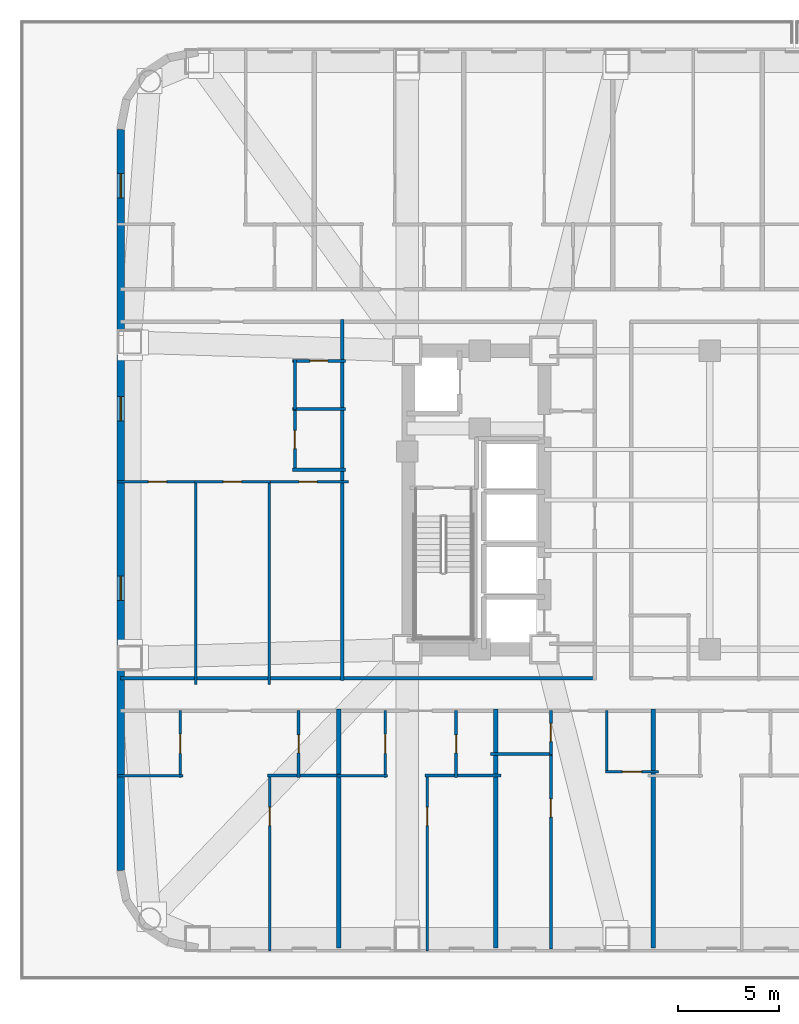
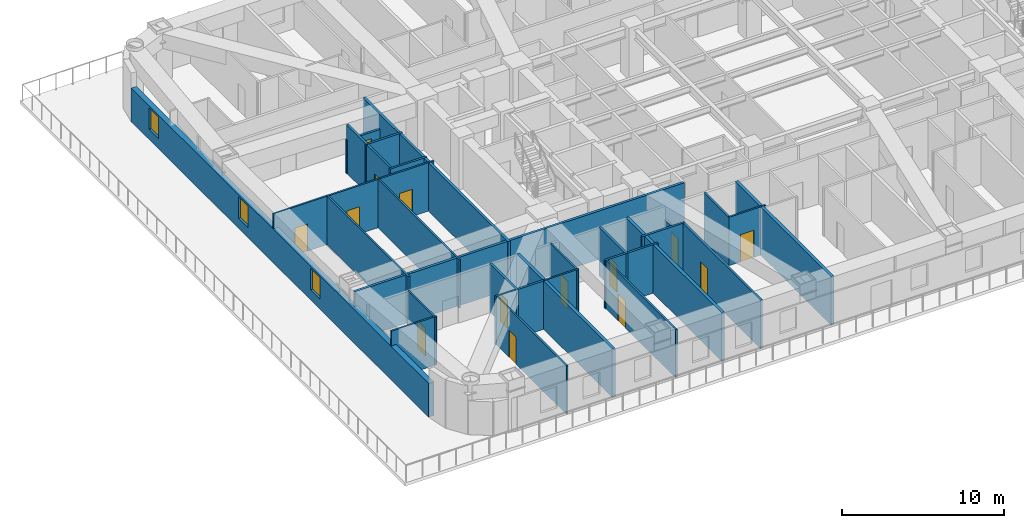
# One storey, part 3 of 15: 31 walls, 14 doors, 3 windows, 17 openings.
"""IFC4 building model written with IfcOpenShell, lengths in metres."""

from ifc_helpers import new_model, si_unit, direction, frame, frame_2d, origin, place, context, subcontext, project, spatial, rectangle, extrude, material, layer, layer_set, type_object, element, fill, save


model = new_model("IFC4")

# Units and contexts
model_context = context("Model", 3, precision=1e-05, world=origin(), true_north=direction((0.0, 1.0)))
body_context = subcontext(model_context, "Body", "Model", "MODEL_VIEW")
ifc_project = project(units=[si_unit("LENGTHUNIT", "METRE"), si_unit("AREAUNIT", "SQUARE_METRE"), si_unit("VOLUMEUNIT", "CUBIC_METRE"), si_unit("PLANEANGLEUNIT", "RADIAN"), si_unit("MASSUNIT", "GRAM", prefix="KILO")], contexts=[model_context])

# Site, building, storey
site_placement = place(None, origin())
site = spatial("IfcSite", under=ifc_project, at=site_placement, CompositionType="ELEMENT")
building_placement = place(site_placement, origin())
building = spatial("IfcBuilding", under=site, at=building_placement, Name="Voryun Gate Residences", CompositionType="ELEMENT")
storey_placement = place(building_placement, frame((0.0, 0.0, 26.0)))
storey = spatial("IfcBuildingStorey", under=building, at=storey_placement, Name="L05", CompositionType="ELEMENT", Elevation=26.0)

# Walls
ifc_material_1 = material(Name="Gypsum acoustic fireboard")
ifc_layer_1 = layer(ifc_material_1, 0.179931640625, Name="W_CORR_RATED_180")
ifc_layer_set_1 = layer_set([ifc_layer_1], Name="Gypsum acoustic fireboard")
wall_type_1 = type_object("IfcWallType", Name="W_CORR_RATED_180", PredefinedType="PARTITIONING", material=ifc_layer_set_1)
wall_1_placement = place(storey_placement, frame((-33.409912109375, -8.840087890625, 0.0), z_axis=(0.0, 0.0, 1.0), x_axis=(1.0, 0.0, 0.0)))
element("IfcWall", 1, at=wall_1_placement, inside=storey, type_object=wall_type_1, Name="Partition wall WP-L05-CWING-WS", PredefinedType="PARTITIONING", context=body_context, shape_type="SweptSolid", body=[
    extrude(rectangle(XDim=23.530029296875, YDim=0.179931640625, at=frame_2d((11.76513671875, 0.0))), origin(), (0.0, 0.0, 1.0), 3.64990234375),
])
wall_2_placement = place(storey_placement, frame((-22.419921875, -8.9599609375, 0.0), z_axis=(0.0, 0.0, 1.0), x_axis=(0.0, 1.0, 0.0)))
element("IfcWall", 2, at=wall_2_placement, inside=storey, type_object=wall_type_1, Name="Partition wall WP-L05-WCOR", PredefinedType="PARTITIONING", context=body_context, shape_type="SweptSolid", body=[
    extrude(rectangle(XDim=17.919921875, YDim=0.179931640625, at=frame_2d((8.9599609375, 0.0))), origin(), (0.0, 0.0, 1.0), 3.64990234375),
])

# Wall, openings, windows
ifc_material_2 = material(Name="Granite masonry", Category="masonry")
ifc_layer_2 = layer(ifc_material_2, 0.3798828125, Name="W_EXT_GRANITE_380")
ifc_layer_set_2 = layer_set([ifc_layer_2], Name="Granite masonry")
wall_type_2 = type_object("IfcWallType", Name="W_EXT_GRANITE_380", PredefinedType="ELEMENTEDWALL", material=ifc_layer_set_2)
wall_3_placement = place(storey_placement, frame((-33.409912109375, -18.38134765625, 0.0), z_axis=(0.0, 0.0, 1.0), x_axis=(0.0, 1.0, 0.0)))
wall_3 = element("IfcWall", 3, at=wall_3_placement, inside=storey, type_object=wall_type_2, Name="Exterior wall WEXT-L05-06", PredefinedType="ELEMENTEDWALL", context=body_context, shape_type="SweptSolid", body=[
    extrude(rectangle(XDim=36.7626953125, YDim=0.3798828125, at=frame_2d((18.38134765625, 0.0))), origin(), (0.0, 0.0, 1.0), 2.5400390625),
])
opening_1_placement = place(wall_3_placement, frame((33.362060546875, 0.0, 0.75)))
opening_1 = element("IfcOpeningElement", 4, at=opening_1_placement, cuts=wall_3, Name="Opening WN6", PredefinedType="OPENING", context=body_context, shape_type="SweptSolid", body=[
    extrude(rectangle(XDim=1.199951171875, YDim=1.6298828125, at=frame_2d((0.60009765625, 0.81494140625))), frame((0.0, 0.199951171875, 0.0), z_axis=(0.0, -1.0, 0.0), x_axis=(1.0, 0.0, 0.0)), (0.0, 0.0, 1.0), 0.39990234375),
])
opening_2_placement = place(wall_3_placement, frame((22.30126953125, 0.0, 0.75)))
opening_2 = element("IfcOpeningElement", 5, at=opening_2_placement, cuts=wall_3, Name="Opening WN6", PredefinedType="OPENING", context=body_context, shape_type="SweptSolid", body=[
    extrude(rectangle(XDim=1.199951171875, YDim=1.6298828125, at=frame_2d((0.60009765625, 0.81494140625))), frame((0.0, 0.199951171875, 0.0), z_axis=(0.0, -1.0, 0.0), x_axis=(1.0, 0.0, 0.0)), (0.0, 0.0, 1.0), 0.39990234375),
])
opening_3_placement = place(wall_3_placement, frame((13.4013671875, 0.0, 0.75)))
opening_3 = element("IfcOpeningElement", 6, at=opening_3_placement, cuts=wall_3, Name="Opening WN6", PredefinedType="OPENING", context=body_context, shape_type="SweptSolid", body=[
    extrude(rectangle(XDim=1.199951171875, YDim=1.6298828125, at=frame_2d((0.60009765625, 0.81494140625))), frame((0.0, 0.199951171875, 0.0), z_axis=(0.0, -1.0, 0.0), x_axis=(1.0, 0.0, 0.0)), (0.0, 0.0, 1.0), 0.39990234375),
])
ifc_material_3 = material(Name="Laminated low-E glass", Category="glass")
window_type = type_object("IfcWindowType", Name="WN_POD_SLOT_1200", PartitioningType="SINGLE_PANEL", PredefinedType="WINDOW", material=ifc_material_3)
window_1_placement = place(opening_1_placement, origin())
window_1 = element("IfcWindow", 7, at=window_1_placement, inside=storey, type_object=window_type, Name="Window WN-L05-DWFIX-01", OverallHeight=1.6298828125, OverallWidth=1.199951171875, PartitioningType="SINGLE_PANEL", PredefinedType="WINDOW", context=body_context, shape_type="SweptSolid", body=[
    extrude(rectangle(XDim=1.199951171875, YDim=1.6298828125, at=frame_2d((0.60009765625, 0.81494140625))), frame((0.0, 0.030029296875, 0.0), z_axis=(0.0, -1.0, 0.0), x_axis=(1.0, 0.0, 0.0)), (0.0, 0.0, 1.0), 0.06005859375),
])
fill(opening_1, window_1)
window_2_placement = place(opening_2_placement, origin())
window_2 = element("IfcWindow", 8, at=window_2_placement, inside=storey, type_object=window_type, Name="Window WN-L05-DWFIX-26", OverallHeight=1.6298828125, OverallWidth=1.199951171875, PartitioningType="SINGLE_PANEL", PredefinedType="WINDOW", context=body_context, shape_type="SweptSolid", body=[
    extrude(rectangle(XDim=1.199951171875, YDim=1.6298828125, at=frame_2d((0.60009765625, 0.81494140625))), frame((0.0, 0.030029296875, 0.0), z_axis=(0.0, -1.0, 0.0), x_axis=(1.0, 0.0, 0.0)), (0.0, 0.0, 1.0), 0.06005859375),
])
fill(opening_2, window_2)
window_3_placement = place(opening_3_placement, origin())
window_3 = element("IfcWindow", 9, at=window_3_placement, inside=storey, type_object=window_type, Name="Window WN-L05-DWFIX-27", OverallHeight=1.6298828125, OverallWidth=1.199951171875, PartitioningType="SINGLE_PANEL", PredefinedType="WINDOW", context=body_context, shape_type="SweptSolid", body=[
    extrude(rectangle(XDim=1.199951171875, YDim=1.6298828125, at=frame_2d((0.60009765625, 0.81494140625))), frame((0.0, 0.030029296875, 0.0), z_axis=(0.0, -1.0, 0.0), x_axis=(1.0, 0.0, 0.0)), (0.0, 0.0, 1.0), 0.06005859375),
])
fill(opening_3, window_3)

# Walls
ifc_material_4 = material(Name="Concrete C40/50", Category="concrete")
ifc_layer_3 = layer(ifc_material_4, 0.219970703125, Name="W_PARTY_ACOUSTIC_220")
ifc_layer_set_3 = layer_set([ifc_layer_3], Name="Concrete C40/50")
wall_type_3 = type_object("IfcWallType", Name="W_PARTY_ACOUSTIC_220", PredefinedType="PARTITIONING", material=ifc_layer_set_3)
for number, where, z_axis, x_axis, name in (
    (10, (-22.60009765625, -22.2099609375, 0.0), (0.0, 0.0, 1.0), (0.0, 1.0, 0.0), "Partition wall WP-L05-SPTY-1"),
    (11, (-14.800048828125, -22.2099609375, 0.0), (0.0, 0.0, 1.0), (0.0, 1.0, 0.0), "Partition wall WP-L05-SPTY-2"),
    (12, (-7.0, -22.2099609375, 0.0), (0.0, 0.0, 1.0), (0.0, 1.0, 0.0), "Partition wall WP-L05-SPTY-3"),
):
    element("IfcWall", number, at=place(storey_placement, frame(where, z_axis=z_axis, x_axis=x_axis)), inside=storey, type_object=wall_type_3, Name=name, PredefinedType="PARTITIONING", context=body_context, shape_type="SweptSolid", body=[
        extrude(rectangle(XDim=11.83984375, YDim=0.219970703125, at=frame_2d((5.919921875, 0.0))), origin(), (0.0, 0.0, 1.0), 3.64990234375),
    ])

# Wall, opening, door
ifc_material_5 = material(Name="Gypsum acoustic partition")
ifc_layer_4 = layer(ifc_material_5, 0.125, Name="W_UNIT_PART_125")
ifc_layer_set_4 = layer_set([ifc_layer_4], Name="Gypsum acoustic partition")
wall_type_4 = type_object("IfcWallType", Name="W_UNIT_PART_125", PredefinedType="PARTITIONING", material=ifc_layer_set_4)
wall_4_placement = place(storey_placement, frame((-26.010009765625, -22.360107421875, 0.0), z_axis=(0.0, 0.0, 1.0), x_axis=(0.0, 1.0, 0.0)))
wall_4 = element("IfcWall", 13, at=wall_4_placement, inside=storey, type_object=wall_type_4, Name="Partition wall WP-L05-S1-OVR", PredefinedType="PARTITIONING", context=body_context, shape_type="SweptSolid", body=[
    extrude(rectangle(XDim=8.77001953125, YDim=0.125, at=frame_2d((4.385009765625, 0.0))), origin(), (0.0, 0.0, 1.0), 3.64990234375),
])
opening_4_placement = place(wall_4_placement, frame((6.215087890625, 0.0, 0.0)))
opening_4 = element("IfcOpeningElement", 14, at=opening_4_placement, cuts=wall_4, Name="Opening D-INT-2", PredefinedType="OPENING", context=body_context, shape_type="SweptSolid", body=[
    extrude(rectangle(XDim=0.89990234375, YDim=2.050048828125, at=frame_2d((0.449951171875, 1.02490234375))), frame((0.0, 0.072509765625, 0.0), z_axis=(0.0, -1.0, 0.0), x_axis=(1.0, 0.0, 0.0)), (0.0, 0.0, 1.0), 0.14501953125),
])
ifc_material_6 = material(Name="Architectural oak veneer")
door_type_1 = type_object("IfcDoorType", Name="DR_INT_BATH_900", OperationType="NOTDEFINED", PredefinedType="DOOR", material=ifc_material_6)
door_1_placement = place(opening_4_placement, origin())
door_1 = element("IfcDoor", 15, at=door_1_placement, inside=storey, type_object=door_type_1, Name="Door DR-L05-S1-DMB", OperationType="SINGLE_SWING_RIGHT", OverallHeight=2.050048828125, OverallWidth=0.89990234375, PredefinedType="DOOR", context=body_context, shape_type="SweptSolid", body=[
    extrude(rectangle(XDim=0.89990234375, YDim=2.050048828125, at=frame_2d((0.449951171875, 1.02490234375))), frame((0.0, 0.02490234375, 0.0), z_axis=(0.0, -1.0, 0.0), x_axis=(1.0, 0.0, 0.0)), (0.0, 0.0, 1.0), 0.050048828125),
])
fill(opening_4, door_1)

wall_5_placement = place(storey_placement, frame((-30.448974609375, -13.75, 0.0), z_axis=(0.0, 0.0, 1.0), x_axis=(0.0, 1.0, 0.0)))
wall_5 = element("IfcWall", 16, at=wall_5_placement, inside=storey, type_object=wall_type_4, Name="Partition wall WP-L05-S1-IVK", PredefinedType="PARTITIONING", context=body_context, shape_type="SweptSolid", body=[
    extrude(rectangle(XDim=3.320068359375, YDim=0.125, at=frame_2d((1.66015625, 0.0))), origin(), (0.0, 0.0, 1.0), 3.64990234375),
])
opening_5_placement = place(wall_5_placement, frame((1.18505859375, 0.0, 0.0)))
opening_5 = element("IfcOpeningElement", 17, at=opening_5_placement, cuts=wall_5, Name="Opening D-INT-1", PredefinedType="OPENING", context=body_context, shape_type="SweptSolid", body=[
    extrude(rectangle(XDim=0.949951171875, YDim=2.050048828125, at=frame_2d((0.47509765625, 1.02490234375))), frame((0.0, 0.072509765625, 0.0), z_axis=(0.0, -1.0, 0.0), x_axis=(1.0, 0.0, 0.0)), (0.0, 0.0, 1.0), 0.14501953125),
])
ifc_material_7 = material(Name="Architectural oak veneer")
door_type_2 = type_object("IfcDoorType", Name="DR_INT_ROOM_950", OperationType="NOTDEFINED", PredefinedType="DOOR", material=ifc_material_7)
door_2_placement = place(opening_5_placement, origin())
door_2 = element("IfcDoor", 18, at=door_2_placement, inside=storey, type_object=door_type_2, Name="Door DR-L05-S1-DK", OperationType="SINGLE_SWING_LEFT", OverallHeight=2.050048828125, OverallWidth=0.949951171875, PredefinedType="DOOR", context=body_context, shape_type="SweptSolid", body=[
    extrude(rectangle(XDim=0.949951171875, YDim=2.050048828125, at=frame_2d((0.47509765625, 1.02490234375))), frame((0.0, 0.02490234375, 0.0), z_axis=(0.0, -1.0, 0.0), x_axis=(1.0, 0.0, 0.0)), (0.0, 0.0, 1.0), 0.050048828125),
])
fill(opening_5, door_2)

# Wall
wall_6_placement = place(storey_placement, frame((-33.56005859375, -13.669921875, 0.0), z_axis=(0.0, 0.0, 1.0), x_axis=(1.0, 0.0, 0.0)))
element("IfcWall", 19, at=wall_6_placement, inside=storey, type_object=wall_type_4, Name="Partition wall WP-L05-S1-HZK", PredefinedType="PARTITIONING", context=body_context, shape_type="SweptSolid", body=[
    extrude(rectangle(XDim=3.23095703125, YDim=0.125, at=frame_2d((1.615478515625, 0.0))), origin(), (0.0, 0.0, 1.0), 3.64990234375),
])

# Wall, opening, door
wall_7_placement = place(storey_placement, frame((-18.2099609375, -22.360107421875, 0.0), z_axis=(0.0, 0.0, 1.0), x_axis=(0.0, 1.0, 0.0)))
wall_7 = element("IfcWall", 20, at=wall_7_placement, inside=storey, type_object=wall_type_4, Name="Partition wall WP-L05-S2-OVR", PredefinedType="PARTITIONING", context=body_context, shape_type="SweptSolid", body=[
    extrude(rectangle(XDim=8.77001953125, YDim=0.125, at=frame_2d((4.385009765625, 0.0))), origin(), (0.0, 0.0, 1.0), 3.64990234375),
])
opening_6_placement = place(wall_7_placement, frame((6.215087890625, 0.0, 0.0)))
opening_6 = element("IfcOpeningElement", 21, at=opening_6_placement, cuts=wall_7, Name="Opening D-INT-2", PredefinedType="OPENING", context=body_context, shape_type="SweptSolid", body=[
    extrude(rectangle(XDim=0.89990234375, YDim=2.050048828125, at=frame_2d((0.449951171875, 1.02490234375))), frame((0.0, 0.072509765625, 0.0), z_axis=(0.0, -1.0, 0.0), x_axis=(1.0, 0.0, 0.0)), (0.0, 0.0, 1.0), 0.14501953125),
])
door_3_placement = place(opening_6_placement, origin())
door_3 = element("IfcDoor", 22, at=door_3_placement, inside=storey, type_object=door_type_1, Name="Door DR-L05-S2-DMB", OperationType="SINGLE_SWING_RIGHT", OverallHeight=2.050048828125, OverallWidth=0.89990234375, PredefinedType="DOOR", context=body_context, shape_type="SweptSolid", body=[
    extrude(rectangle(XDim=0.89990234375, YDim=2.050048828125, at=frame_2d((0.449951171875, 1.02490234375))), frame((0.0, 0.02490234375, 0.0), z_axis=(0.0, -1.0, 0.0), x_axis=(1.0, 0.0, 0.0)), (0.0, 0.0, 1.0), 0.050048828125),
])
fill(opening_6, door_3)

wall_8_placement = place(storey_placement, frame((-20.2900390625, -13.75, 0.0), z_axis=(0.0, 0.0, 1.0), x_axis=(0.0, 1.0, 0.0)))
wall_8 = element("IfcWall", 23, at=wall_8_placement, inside=storey, type_object=wall_type_4, Name="Partition wall WP-L05-S2-IVK", PredefinedType="PARTITIONING", context=body_context, shape_type="SweptSolid", body=[
    extrude(rectangle(XDim=3.320068359375, YDim=0.125, at=frame_2d((1.66015625, 0.0))), origin(), (0.0, 0.0, 1.0), 3.64990234375),
])
opening_7_placement = place(wall_8_placement, frame((1.18505859375, 0.0, 0.0)))
opening_7 = element("IfcOpeningElement", 24, at=opening_7_placement, cuts=wall_8, Name="Opening D-INT-1", PredefinedType="OPENING", context=body_context, shape_type="SweptSolid", body=[
    extrude(rectangle(XDim=0.949951171875, YDim=2.050048828125, at=frame_2d((0.47509765625, 1.02490234375))), frame((0.0, 0.072509765625, 0.0), z_axis=(0.0, -1.0, 0.0), x_axis=(1.0, 0.0, 0.0)), (0.0, 0.0, 1.0), 0.14501953125),
])
door_4_placement = place(opening_7_placement, origin())
door_4 = element("IfcDoor", 25, at=door_4_placement, inside=storey, type_object=door_type_2, Name="Door DR-L05-S2-DK", OperationType="SINGLE_SWING_LEFT", OverallHeight=2.050048828125, OverallWidth=0.949951171875, PredefinedType="DOOR", context=body_context, shape_type="SweptSolid", body=[
    extrude(rectangle(XDim=0.949951171875, YDim=2.050048828125, at=frame_2d((0.47509765625, 1.02490234375))), frame((0.0, 0.02490234375, 0.0), z_axis=(0.0, -1.0, 0.0), x_axis=(1.0, 0.0, 0.0)), (0.0, 0.0, 1.0), 0.050048828125),
])
fill(opening_7, door_4)

# Wall
wall_9_placement = place(storey_placement, frame((-22.675048828125, -13.669921875, 0.0), z_axis=(0.0, 0.0, 1.0), x_axis=(1.0, 0.0, 0.0)))
element("IfcWall", 26, at=wall_9_placement, inside=storey, type_object=wall_type_4, Name="Partition wall WP-L05-S2-HZK", PredefinedType="PARTITIONING", context=body_context, shape_type="SweptSolid", body=[
    extrude(rectangle(XDim=2.505126953125, YDim=0.125, at=frame_2d((1.25244140625, 0.0))), origin(), (0.0, 0.0, 1.0), 3.64990234375),
])

# Wall, opening, door
wall_10_placement = place(storey_placement, frame((-9.376953125, -13.469970703125, 0.0), z_axis=(0.0, 0.0, 1.0), x_axis=(1.0, 0.0, 0.0)))
wall_10 = element("IfcWall", 27, at=wall_10_placement, inside=storey, type_object=wall_type_4, Name="Partition wall WP-L05-S3-KHY", PredefinedType="PARTITIONING", context=body_context, shape_type="SweptSolid", body=[
    extrude(rectangle(XDim=2.636962890625, YDim=0.125, at=frame_2d((1.318359375, 0.0))), origin(), (0.0, 0.0, 1.0), 3.64990234375),
])
opening_8_placement = place(wall_10_placement, frame((0.843505859375, 0.0, 0.0)))
opening_8 = element("IfcOpeningElement", 28, at=opening_8_placement, cuts=wall_10, Name="Opening D-INT-1", PredefinedType="OPENING", context=body_context, shape_type="SweptSolid", body=[
    extrude(rectangle(XDim=0.949951171875, YDim=2.050048828125, at=frame_2d((0.47509765625, 1.02490234375))), frame((0.0, 0.072509765625, 0.0), z_axis=(0.0, -1.0, 0.0), x_axis=(1.0, 0.0, 0.0)), (0.0, 0.0, 1.0), 0.14501953125),
])
door_5_placement = place(opening_8_placement, origin())
door_5 = element("IfcDoor", 29, at=door_5_placement, inside=storey, type_object=door_type_2, Name="Door DR-L05-S3-DK", OperationType="SINGLE_SWING_LEFT", OverallHeight=2.050048828125, OverallWidth=0.949951171875, PredefinedType="DOOR", context=body_context, shape_type="SweptSolid", body=[
    extrude(rectangle(XDim=0.949951171875, YDim=2.050048828125, at=frame_2d((0.47509765625, 1.02490234375))), frame((0.0, 0.02490234375, 0.0), z_axis=(0.0, -1.0, 0.0), x_axis=(1.0, 0.0, 0.0)), (0.0, 0.0, 1.0), 0.050048828125),
])
fill(opening_8, door_5)

# Wall
wall_11_placement = place(storey_placement, frame((-9.31689453125, -13.530029296875, 0.0), z_axis=(0.0, 0.0, 1.0), x_axis=(0.0, 1.0, 0.0)))
element("IfcWall", 30, at=wall_11_placement, inside=storey, type_object=wall_type_4, Name="Partition wall WP-L05-S3-KVX", PredefinedType="PARTITIONING", context=body_context, shape_type="SweptSolid", body=[
    extrude(rectangle(XDim=3.10009765625, YDim=0.125, at=frame_2d((1.550048828125, 0.0))), origin(), (0.0, 0.0, 1.0), 3.64990234375),
])

# Wall, opening, door
wall_12_placement = place(storey_placement, frame((-33.56005859375, 0.909912109375, 0.0), z_axis=(0.0, 0.0, 1.0), x_axis=(1.0, 0.0, 0.0)))
wall_12 = element("IfcWall", 31, at=wall_12_placement, inside=storey, type_object=wall_type_4, Name="Partition wall WP-L05-W1-HZMB1", PredefinedType="PARTITIONING", context=body_context, shape_type="SweptSolid", body=[
    extrude(rectangle(XDim=3.944580078125, YDim=0.125, at=frame_2d((1.97216796875, 0.0))), origin(), (0.0, 0.0, 1.0), 3.64990234375),
])
opening_9_placement = place(wall_12_placement, frame((1.531005859375, 0.0, 0.0)))
opening_9 = element("IfcOpeningElement", 32, at=opening_9_placement, cuts=wall_12, Name="Opening D-INT-2", PredefinedType="OPENING", context=body_context, shape_type="SweptSolid", body=[
    extrude(rectangle(XDim=0.89990234375, YDim=2.050048828125, at=frame_2d((0.449951171875, 1.02490234375))), frame((0.0, 0.072509765625, 0.0), z_axis=(0.0, -1.0, 0.0), x_axis=(1.0, 0.0, 0.0)), (0.0, 0.0, 1.0), 0.14501953125),
])
door_6_placement = place(opening_9_placement, origin())
door_6 = element("IfcDoor", 33, at=door_6_placement, inside=storey, type_object=door_type_1, Name="Door DR-L05-W1-DMB", OperationType="SINGLE_SWING_LEFT", OverallHeight=2.050048828125, OverallWidth=0.89990234375, PredefinedType="DOOR", context=body_context, shape_type="SweptSolid", body=[
    extrude(rectangle(XDim=0.89990234375, YDim=2.050048828125, at=frame_2d((0.449951171875, 1.02490234375))), frame((0.0, 0.02490234375, 0.0), z_axis=(0.0, -1.0, 0.0), x_axis=(1.0, 0.0, 0.0)), (0.0, 0.0, 1.0), 0.050048828125),
])
fill(opening_9, door_6)

wall_13_placement = place(storey_placement, frame((-29.740478515625, 0.909912109375, 0.0), z_axis=(0.0, 0.0, 1.0), x_axis=(1.0, 0.0, 0.0)))
wall_13 = element("IfcWall", 34, at=wall_13_placement, inside=storey, type_object=wall_type_4, Name="Partition wall WP-L05-W1-HZMB2", PredefinedType="PARTITIONING", context=body_context, shape_type="SweptSolid", body=[
    extrude(rectangle(XDim=3.75390625, YDim=0.125, at=frame_2d((1.876953125, 0.0))), origin(), (0.0, 0.0, 1.0), 3.64990234375),
])
opening_10_placement = place(wall_13_placement, frame((1.427001953125, 0.0, 0.0)))
opening_10 = element("IfcOpeningElement", 35, at=opening_10_placement, cuts=wall_13, Name="Opening D-INT-2", PredefinedType="OPENING", context=body_context, shape_type="SweptSolid", body=[
    extrude(rectangle(XDim=0.89990234375, YDim=2.050048828125, at=frame_2d((0.449951171875, 1.02490234375))), frame((0.0, 0.072509765625, 0.0), z_axis=(0.0, -1.0, 0.0), x_axis=(1.0, 0.0, 0.0)), (0.0, 0.0, 1.0), 0.14501953125),
])
door_7_placement = place(opening_10_placement, origin())
door_7 = element("IfcDoor", 36, at=door_7_placement, inside=storey, type_object=door_type_1, Name="Door DR-L05-W1-DBD2", OperationType="SINGLE_SWING_RIGHT", OverallHeight=2.050048828125, OverallWidth=0.89990234375, PredefinedType="DOOR", context=body_context, shape_type="SweptSolid", body=[
    extrude(rectangle(XDim=0.89990234375, YDim=2.050048828125, at=frame_2d((0.449951171875, 1.02490234375))), frame((0.0, 0.02490234375, 0.0), z_axis=(0.0, -1.0, 0.0), x_axis=(1.0, 0.0, 0.0)), (0.0, 0.0, 1.0), 0.050048828125),
])
fill(opening_10, door_7)

wall_14_placement = place(storey_placement, frame((-26.111572265625, 0.909912109375, 0.0), z_axis=(0.0, 0.0, 1.0), x_axis=(1.0, 0.0, 0.0)))
wall_14 = element("IfcWall", 37, at=wall_14_placement, inside=storey, type_object=wall_type_4, Name="Partition wall WP-L05-W1-HZMB3", PredefinedType="PARTITIONING", context=body_context, shape_type="SweptSolid", body=[
    extrude(rectangle(XDim=4.011474609375, YDim=0.125, at=frame_2d((2.005859375, 0.0))), origin(), (0.0, 0.0, 1.0), 3.64990234375),
])
opening_11_placement = place(wall_14_placement, frame((1.547119140625, 0.0, 0.0)))
opening_11 = element("IfcOpeningElement", 38, at=opening_11_placement, cuts=wall_14, Name="Opening D-INT-2", PredefinedType="OPENING", context=body_context, shape_type="SweptSolid", body=[
    extrude(rectangle(XDim=0.89990234375, YDim=2.050048828125, at=frame_2d((0.449951171875, 1.02490234375))), frame((0.0, 0.072509765625, 0.0), z_axis=(0.0, -1.0, 0.0), x_axis=(1.0, 0.0, 0.0)), (0.0, 0.0, 1.0), 0.14501953125),
])
door_8_placement = place(opening_11_placement, origin())
door_8 = element("IfcDoor", 39, at=door_8_placement, inside=storey, type_object=door_type_1, Name="Door DR-L05-W1-DBD3", OperationType="SINGLE_SWING_LEFT", OverallHeight=2.050048828125, OverallWidth=0.89990234375, PredefinedType="DOOR", context=body_context, shape_type="SweptSolid", body=[
    extrude(rectangle(XDim=0.89990234375, YDim=2.050048828125, at=frame_2d((0.449951171875, 1.02490234375))), frame((0.0, 0.02490234375, 0.0), z_axis=(0.0, -1.0, 0.0), x_axis=(1.0, 0.0, 0.0)), (0.0, 0.0, 1.0), 0.050048828125),
])
fill(opening_11, door_8)

# Walls
for number, where, z_axis, x_axis, name in (
    (40, (-26.049072265625, -9.159912109375, 0.0), (0.0, 0.0, 1.0), (0.0, 1.0, 0.0), "Partition wall WP-L05-W1-VMB2"),
    (41, (-29.677978515625, -9.159912109375, 0.0), (0.0, 0.0, 1.0), (0.0, 1.0, 0.0), "Partition wall WP-L05-W1-VMB"),
):
    element("IfcWall", number, at=place(storey_placement, frame(where, z_axis=z_axis, x_axis=x_axis)), inside=storey, type_object=wall_type_4, Name=name, PredefinedType="PARTITIONING", context=body_context, shape_type="SweptSolid", body=[
        extrude(rectangle(XDim=10.1298828125, YDim=0.125, at=frame_2d((5.06494140625, 0.0))), origin(), (0.0, 0.0, 1.0), 3.64990234375),
    ])
ifc_material_8 = material(Name="Gypsum moisture-resistant partition")
ifc_layer_5 = layer(ifc_material_8, 0.14990234375, Name="W_WET_PLUMB_150")
ifc_layer_set_5 = layer_set([ifc_layer_5], Name="Gypsum moisture-resistant partition")
wall_type_5 = type_object("IfcWallType", Name="W_WET_PLUMB_150", PredefinedType="PLUMBINGWALL", material=ifc_layer_set_5)
wall_15_placement = place(storey_placement, frame((-26.1298828125, -13.669921875, 0.0), z_axis=(0.0, 0.0, 1.0), x_axis=(1.0, 0.0, 0.0)))
element("IfcWall", 42, at=wall_15_placement, inside=storey, type_object=wall_type_5, Name="Partition wall WP-L05-S1-HZB", PredefinedType="PLUMBINGWALL", context=body_context, shape_type="SweptSolid", body=[
    extrude(rectangle(XDim=3.60498046875, YDim=0.14990234375, at=frame_2d((1.802490234375, 0.0))), origin(), (0.0, 0.0, 1.0), 3.64990234375),
])

# Wall, opening, door
wall_16_placement = place(storey_placement, frame((-24.580078125, -13.75, 0.0), z_axis=(0.0, 0.0, 1.0), x_axis=(0.0, 1.0, 0.0)))
wall_16 = element("IfcWall", 43, at=wall_16_placement, inside=storey, type_object=wall_type_5, Name="Partition wall WP-L05-S1-IVB", PredefinedType="PLUMBINGWALL", context=body_context, shape_type="SweptSolid", body=[
    extrude(rectangle(XDim=3.320068359375, YDim=0.14990234375, at=frame_2d((1.66015625, 0.0))), origin(), (0.0, 0.0, 1.0), 3.64990234375),
])
opening_12_placement = place(wall_16_placement, frame((1.2099609375, 0.0, 0.0)))
opening_12 = element("IfcOpeningElement", 44, at=opening_12_placement, cuts=wall_16, Name="Opening D-INT-2", PredefinedType="OPENING", context=body_context, shape_type="SweptSolid", body=[
    extrude(rectangle(XDim=0.89990234375, YDim=2.050048828125, at=frame_2d((0.449951171875, 1.02490234375))), frame((0.0, 0.0849609375, 0.0), z_axis=(0.0, -1.0, 0.0), x_axis=(1.0, 0.0, 0.0)), (0.0, 0.0, 1.0), 0.169921875),
])
door_9_placement = place(opening_12_placement, origin())
door_9 = element("IfcDoor", 45, at=door_9_placement, inside=storey, type_object=door_type_1, Name="Door DR-L05-S1-DB", OperationType="SINGLE_SWING_RIGHT", OverallHeight=2.050048828125, OverallWidth=0.89990234375, PredefinedType="DOOR", context=body_context, shape_type="SweptSolid", body=[
    extrude(rectangle(XDim=0.89990234375, YDim=2.050048828125, at=frame_2d((0.449951171875, 1.02490234375))), frame((0.0, 0.02490234375, 0.0), z_axis=(0.0, -1.0, 0.0), x_axis=(1.0, 0.0, 0.0)), (0.0, 0.0, 1.0), 0.050048828125),
])
fill(opening_12, door_9)

# Wall
wall_17_placement = place(storey_placement, frame((-18.330078125, -13.669921875, 0.0), z_axis=(0.0, 0.0, 1.0), x_axis=(1.0, 0.0, 0.0)))
element("IfcWall", 46, at=wall_17_placement, inside=storey, type_object=wall_type_5, Name="Partition wall WP-L05-S2-HZB", PredefinedType="PLUMBINGWALL", context=body_context, shape_type="SweptSolid", body=[
    extrude(rectangle(XDim=3.7900390625, YDim=0.14990234375, at=frame_2d((1.89501953125, 0.0))), origin(), (0.0, 0.0, 1.0), 3.64990234375),
])

# Wall, opening, door
wall_18_placement = place(storey_placement, frame((-16.780029296875, -13.75, 0.0), z_axis=(0.0, 0.0, 1.0), x_axis=(0.0, 1.0, 0.0)))
wall_18 = element("IfcWall", 47, at=wall_18_placement, inside=storey, type_object=wall_type_5, Name="Partition wall WP-L05-S2-IVB", PredefinedType="PLUMBINGWALL", context=body_context, shape_type="SweptSolid", body=[
    extrude(rectangle(XDim=3.320068359375, YDim=0.14990234375, at=frame_2d((1.66015625, 0.0))), origin(), (0.0, 0.0, 1.0), 3.64990234375),
])
opening_13_placement = place(wall_18_placement, frame((1.2099609375, 0.0, 0.0)))
opening_13 = element("IfcOpeningElement", 48, at=opening_13_placement, cuts=wall_18, Name="Opening D-INT-2", PredefinedType="OPENING", context=body_context, shape_type="SweptSolid", body=[
    extrude(rectangle(XDim=0.89990234375, YDim=2.050048828125, at=frame_2d((0.449951171875, 1.02490234375))), frame((0.0, 0.0849609375, 0.0), z_axis=(0.0, -1.0, 0.0), x_axis=(1.0, 0.0, 0.0)), (0.0, 0.0, 1.0), 0.169921875),
])
door_10_placement = place(opening_13_placement, origin())
door_10 = element("IfcDoor", 49, at=door_10_placement, inside=storey, type_object=door_type_1, Name="Door DR-L05-S2-DB", OperationType="SINGLE_SWING_RIGHT", OverallHeight=2.050048828125, OverallWidth=0.89990234375, PredefinedType="DOOR", context=body_context, shape_type="SweptSolid", body=[
    extrude(rectangle(XDim=0.89990234375, YDim=2.050048828125, at=frame_2d((0.449951171875, 1.02490234375))), frame((0.0, 0.02490234375, 0.0), z_axis=(0.0, -1.0, 0.0), x_axis=(1.0, 0.0, 0.0)), (0.0, 0.0, 1.0), 0.050048828125),
])
fill(opening_13, door_10)

# Wall
wall_19_placement = place(storey_placement, frame((-15.06005859375, -12.590087890625, 0.0), z_axis=(0.0, 0.0, 1.0), x_axis=(1.0, 0.0, 0.0)))
element("IfcWall", 50, at=wall_19_placement, inside=storey, type_object=wall_type_5, Name="Partition wall WP-L05-S3-LHY", PredefinedType="PLUMBINGWALL", context=body_context, shape_type="SweptSolid", body=[
    extrude(rectangle(XDim=3.06494140625, YDim=0.14990234375, at=frame_2d((1.532470703125, 0.0))), origin(), (0.0, 0.0, 1.0), 3.64990234375),
])

# Wall, opening, door
wall_20_placement = place(storey_placement, frame((-12.074951171875, -22.257568359375, 0.0), z_axis=(0.0, 0.0, 1.0), x_axis=(0.0, 1.0, 0.0)))
wall_20 = element("IfcWall", 51, at=wall_20_placement, inside=storey, type_object=wall_type_5, Name="Partition wall WP-L05-S3-LVX1", PredefinedType="PLUMBINGWALL", context=body_context, shape_type="SweptSolid", body=[
    extrude(rectangle(XDim=9.70751953125, YDim=0.14990234375, at=frame_2d((4.853759765625, 0.0))), origin(), (0.0, 0.0, 1.0), 3.64990234375),
])
opening_14_placement = place(wall_20_placement, frame((6.53955078125, 0.0, 0.0)))
opening_14 = element("IfcOpeningElement", 52, at=opening_14_placement, cuts=wall_20, Name="Opening D-INT-2", PredefinedType="OPENING", context=body_context, shape_type="SweptSolid", body=[
    extrude(rectangle(XDim=0.89990234375, YDim=2.050048828125, at=frame_2d((0.449951171875, 1.02490234375))), frame((0.0, 0.0849609375, 0.0), z_axis=(0.0, -1.0, 0.0), x_axis=(1.0, 0.0, 0.0)), (0.0, 0.0, 1.0), 0.169921875),
])
door_11_placement = place(opening_14_placement, origin())
door_11 = element("IfcDoor", 53, at=door_11_placement, inside=storey, type_object=door_type_1, Name="Door DR-L05-S3-DMB", OperationType="SINGLE_SWING_LEFT", OverallHeight=2.050048828125, OverallWidth=0.89990234375, PredefinedType="DOOR", context=body_context, shape_type="SweptSolid", body=[
    extrude(rectangle(XDim=0.89990234375, YDim=2.050048828125, at=frame_2d((0.449951171875, 1.02490234375))), frame((0.0, 0.02490234375, 0.0), z_axis=(0.0, -1.0, 0.0), x_axis=(1.0, 0.0, 0.0)), (0.0, 0.0, 1.0), 0.050048828125),
])
fill(opening_14, door_11)

wall_21_placement = place(storey_placement, frame((-12.074951171875, -12.6298828125, 0.0), z_axis=(0.0, 0.0, 1.0), x_axis=(0.0, 1.0, 0.0)))
wall_21 = element("IfcWall", 54, at=wall_21_placement, inside=storey, type_object=wall_type_5, Name="Partition wall WP-L05-S3-LVX2", PredefinedType="PLUMBINGWALL", context=body_context, shape_type="SweptSolid", body=[
    extrude(rectangle(XDim=2.199951171875, YDim=0.14990234375, at=frame_2d((1.10009765625, 0.0))), origin(), (0.0, 0.0, 1.0), 2.5400390625),
])
opening_15_placement = place(wall_21_placement, frame((0.64990234375, 0.0, 0.0)))
opening_15 = element("IfcOpeningElement", 55, at=opening_15_placement, cuts=wall_21, Name="Opening D-INT-2", PredefinedType="OPENING", context=body_context, shape_type="SweptSolid", body=[
    extrude(rectangle(XDim=0.89990234375, YDim=2.050048828125, at=frame_2d((0.449951171875, 1.02490234375))), frame((0.0, 0.0849609375, 0.0), z_axis=(0.0, -1.0, 0.0), x_axis=(1.0, 0.0, 0.0)), (0.0, 0.0, 1.0), 0.169921875),
])
door_12_placement = place(opening_15_placement, origin())
door_12 = element("IfcDoor", 56, at=door_12_placement, inside=storey, type_object=door_type_1, Name="Door DR-L05-S3-DB", OperationType="SINGLE_SWING_RIGHT", OverallHeight=2.050048828125, OverallWidth=0.89990234375, PredefinedType="DOOR", context=body_context, shape_type="SweptSolid", body=[
    extrude(rectangle(XDim=0.89990234375, YDim=2.050048828125, at=frame_2d((0.449951171875, 1.02490234375))), frame((0.0, 0.02490234375, 0.0), z_axis=(0.0, -1.0, 0.0), x_axis=(1.0, 0.0, 0.0)), (0.0, 0.0, 1.0), 0.050048828125),
])
fill(opening_15, door_12)

wall_22_placement = place(storey_placement, frame((-24.889892578125, 6.89990234375, 0.0), z_axis=(0.0, 0.0, 1.0), x_axis=(1.0, 0.0, 0.0)))
wall_22 = element("IfcWall", 57, at=wall_22_placement, inside=storey, type_object=wall_type_5, Name="Partition wall WP-L05-W1-IBT", PredefinedType="PLUMBINGWALL", context=body_context, shape_type="SweptSolid", body=[
    extrude(rectangle(XDim=2.619873046875, YDim=0.14990234375, at=frame_2d((1.31005859375, 0.0))), origin(), (0.0, 0.0, 1.0), 2.5400390625),
])
opening_16_placement = place(wall_22_placement, frame((0.860107421875, 0.0, 0.0)))
opening_16 = element("IfcOpeningElement", 58, at=opening_16_placement, cuts=wall_22, Name="Opening D-INT-2", PredefinedType="OPENING", context=body_context, shape_type="SweptSolid", body=[
    extrude(rectangle(XDim=0.89990234375, YDim=2.050048828125, at=frame_2d((0.449951171875, 1.02490234375))), frame((0.0, 0.0849609375, 0.0), z_axis=(0.0, -1.0, 0.0), x_axis=(1.0, 0.0, 0.0)), (0.0, 0.0, 1.0), 0.169921875),
])
door_13_placement = place(opening_16_placement, origin())
door_13 = element("IfcDoor", 59, at=door_13_placement, inside=storey, type_object=door_type_1, Name="Door DR-L05-W1-DK", OperationType="SINGLE_SWING_LEFT", OverallHeight=2.050048828125, OverallWidth=0.89990234375, PredefinedType="DOOR", context=body_context, shape_type="SweptSolid", body=[
    extrude(rectangle(XDim=0.89990234375, YDim=2.050048828125, at=frame_2d((0.449951171875, 1.02490234375))), frame((0.0, 0.02490234375, 0.0), z_axis=(0.0, -1.0, 0.0), x_axis=(1.0, 0.0, 0.0)), (0.0, 0.0, 1.0), 0.050048828125),
])
fill(opening_16, door_13)

# Walls
for number, where, z_axis, x_axis, name in (
    (60, (-24.889892578125, 4.52001953125, 0.0), (0.0, 0.0, 1.0), (1.0, 0.0, 0.0), "Partition wall WP-L05-W1-IKB"),
    (61, (-24.889892578125, 1.5, 0.0), (0.0, 0.0, 1.0), (1.0, 0.0, 0.0), "Partition wall WP-L05-W1-IBB"),
):
    element("IfcWall", number, at=place(storey_placement, frame(where, z_axis=z_axis, x_axis=x_axis)), inside=storey, type_object=wall_type_5, Name=name, PredefinedType="PLUMBINGWALL", context=body_context, shape_type="SweptSolid", body=[
        extrude(rectangle(XDim=2.619873046875, YDim=0.14990234375, at=frame_2d((1.31005859375, 0.0))), origin(), (0.0, 0.0, 1.0), 3.64990234375),
    ])

# Wall, opening, door
wall_23_placement = place(storey_placement, frame((-24.77001953125, 1.43994140625, 0.0), z_axis=(0.0, 0.0, 1.0), x_axis=(0.0, 1.0, 0.0)))
wall_23 = element("IfcWall", 62, at=wall_23_placement, inside=storey, type_object=wall_type_5, Name="Partition wall WP-L05-W1-VTSK1", PredefinedType="PLUMBINGWALL", context=body_context, shape_type="SweptSolid", body=[
    extrude(rectangle(XDim=3.1201171875, YDim=0.14990234375, at=frame_2d((1.56005859375, 0.0))), origin(), (0.0, 0.0, 1.0), 3.64990234375),
])
opening_17_placement = place(wall_23_placement, frame((1.110107421875, 0.0, 0.0)))
opening_17 = element("IfcOpeningElement", 63, at=opening_17_placement, cuts=wall_23, Name="Opening D-INT-2", PredefinedType="OPENING", context=body_context, shape_type="SweptSolid", body=[
    extrude(rectangle(XDim=0.89990234375, YDim=2.050048828125, at=frame_2d((0.449951171875, 1.02490234375))), frame((0.0, 0.0849609375, 0.0), z_axis=(0.0, -1.0, 0.0), x_axis=(1.0, 0.0, 0.0)), (0.0, 0.0, 1.0), 0.169921875),
])
door_14_placement = place(opening_17_placement, origin())
door_14 = element("IfcDoor", 64, at=door_14_placement, inside=storey, type_object=door_type_1, Name="Door DR-L05-W1-DB", OperationType="SINGLE_SWING_RIGHT", OverallHeight=2.050048828125, OverallWidth=0.89990234375, PredefinedType="DOOR", context=body_context, shape_type="SweptSolid", body=[
    extrude(rectangle(XDim=0.89990234375, YDim=2.050048828125, at=frame_2d((0.449951171875, 1.02490234375))), frame((0.0, 0.02490234375, 0.0), z_axis=(0.0, -1.0, 0.0), x_axis=(1.0, 0.0, 0.0)), (0.0, 0.0, 1.0), 0.050048828125),
])
fill(opening_17, door_14)

# Wall
wall_24_placement = place(storey_placement, frame((-24.77001953125, 4.47998046875, 0.0), z_axis=(0.0, 0.0, 1.0), x_axis=(0.0, 1.0, 0.0)))
element("IfcWall", 65, at=wall_24_placement, inside=storey, type_object=wall_type_5, Name="Partition wall WP-L05-W1-VTSK2", PredefinedType="PLUMBINGWALL", context=body_context, shape_type="SweptSolid", body=[
    extrude(rectangle(XDim=2.47998046875, YDim=0.14990234375, at=frame_2d((1.239990234375, 0.0))), origin(), (0.0, 0.0, 1.0), 3.64990234375),
])

save(model, "model.ifc")
